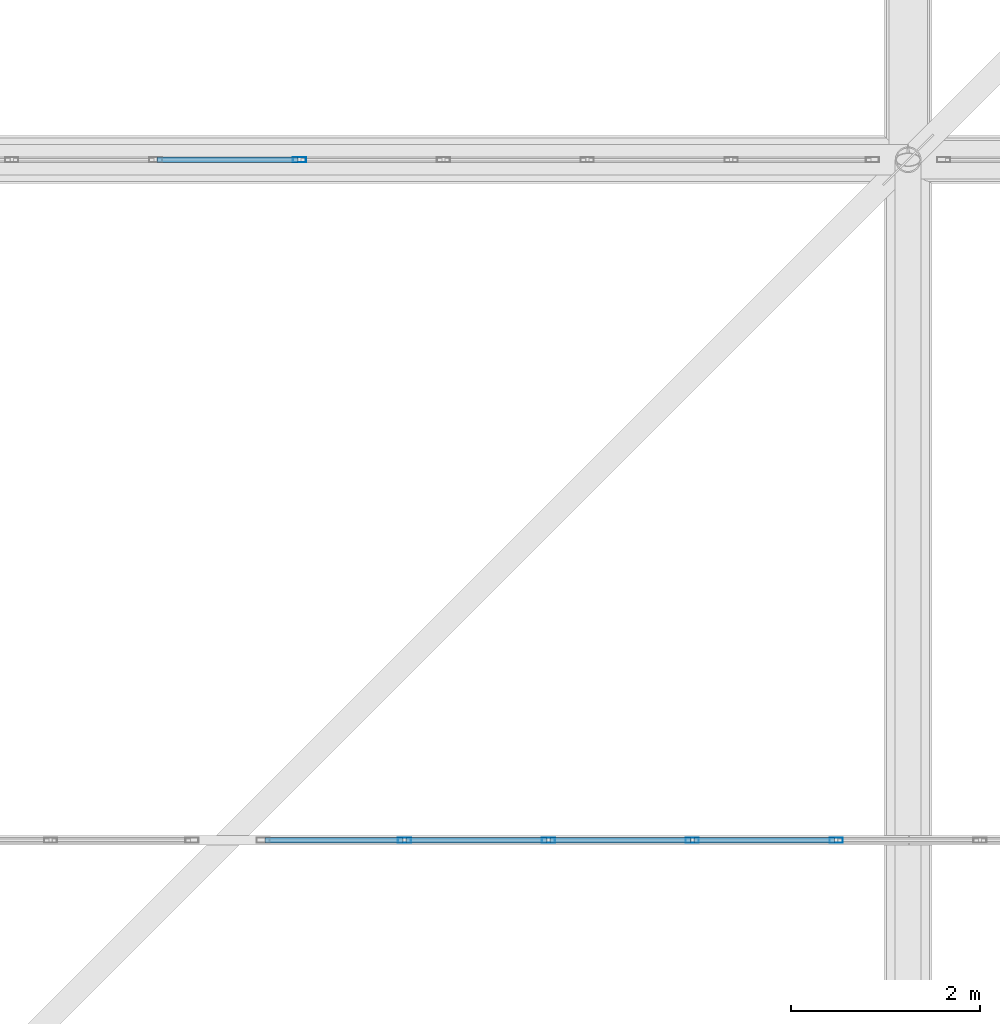
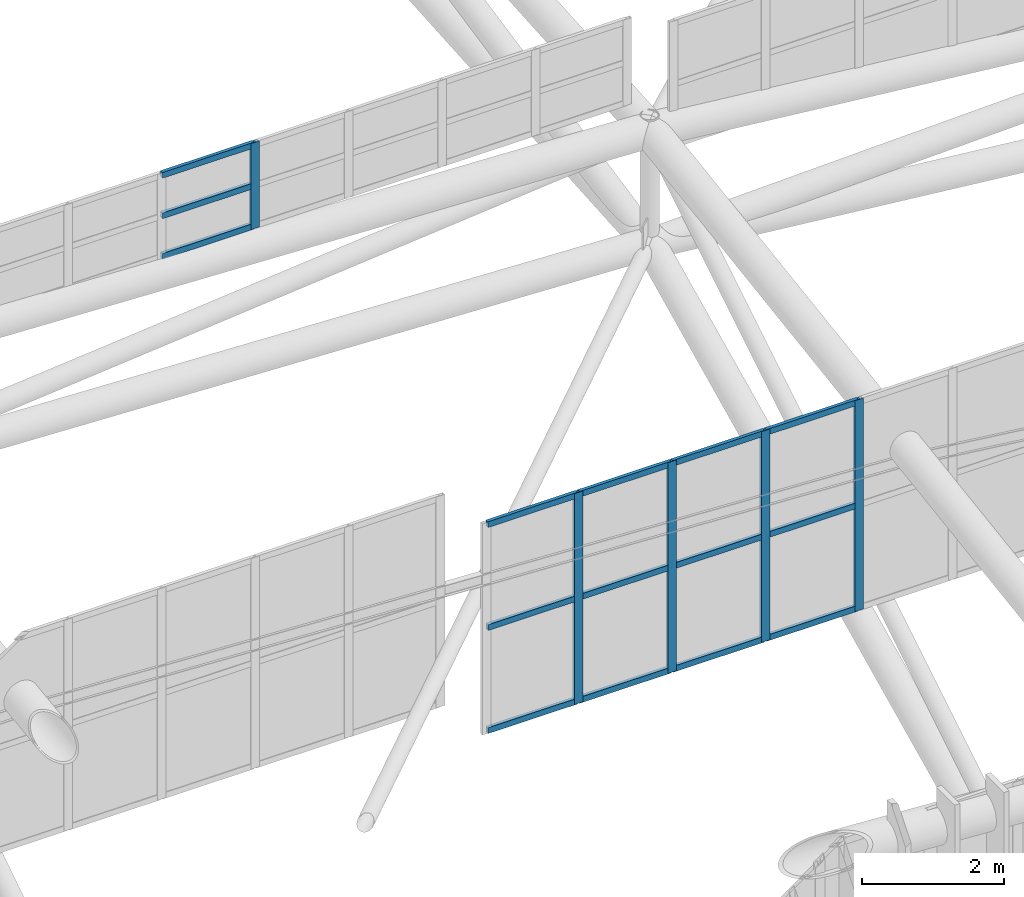
# One storey, part 100 of 397: 20 members, 2 elements without a shape of their own.
"""IFC4 building model written with IfcOpenShell, lengths in metres."""

from ifc_helpers import new_model, si_unit, direction, frame, origin, origin_2d, place, context, subcontext, project, spatial, hollow_rectangle, extrude, material, material_profile, profile_set, type_object, element, aggregate, save


model = new_model("IFC4")

# Units and contexts
model_context = context("Model", 3, precision=1e-05, world=origin(), true_north=direction((0.0, 1.0)))
body_context = subcontext(model_context, "Body", "Model", "MODEL_VIEW")
ifc_project = project(units=[si_unit("LENGTHUNIT", "METRE"), si_unit("AREAUNIT", "SQUARE_METRE"), si_unit("VOLUMEUNIT", "CUBIC_METRE"), si_unit("PLANEANGLEUNIT", "RADIAN"), si_unit("MASSUNIT", "GRAM", prefix="KILO")], contexts=[model_context])

# Site, building, storey
site_placement = place(None, origin())
site = spatial("IfcSite", under=ifc_project, at=site_placement, CompositionType="ELEMENT")
building_placement = place(site_placement, origin())
building = spatial("IfcBuilding", under=site, at=building_placement, Name="Qandorah Velis Arena", CompositionType="ELEMENT")
storey_placement = place(building_placement, frame((0.0, 0.0, 27.5)))
storey = spatial("IfcBuildingStorey", under=building, at=storey_placement, Name="RF", CompositionType="ELEMENT", Elevation=27.5)

# Curtain wall, members
ifc_material_1 = material(Name="Solar-control low-E double glazing", Category="glass")
curtain_wall_type_1 = type_object("IfcCurtainWallType", Name="ARC-CW-SYS23", PredefinedType="USERDEFINED", material=ifc_material_1)
curtain_wall_1_placement = place(storey_placement, origin())
curtain_wall_1 = element("IfcCurtainWall", 1, at=curtain_wall_1_placement, inside=storey, type_object=curtain_wall_type_1, Name="Unitised curtain wall MON-3-5", ObjectType="UNITISED CURTAIN WALL", PredefinedType="USERDEFINED")
ifc_material_2 = material(Name="Champagne-bronze anodized aluminium 6063-T6", Category="aluminium")
ifc_material_profile_1 = material_profile(ifc_material_2, hollow_rectangle(XDim=0.054931640625, YDim=0.139892578125, WallThickness=0.0029296875, at=origin_2d()), Name="ALU MULLION 55x140")
ifc_profile_set_1 = profile_set([ifc_material_profile_1], Name="Champagne-bronze anodized aluminium 6063-T6")
member_type_1 = type_object("IfcMemberType", Name="ARC-CWM-140", PredefinedType="MULLION", material=ifc_profile_set_1)
member_1_placement = place(storey_placement, frame((81.072265625, 21.60009765625, 5.337646484375), z_axis=(0.0, 0.0, 1.0), x_axis=(0.0, 1.0, 0.0)))
member_1 = element("IfcMember", 2, at=member_1_placement, type_object=member_type_1, Name="CW23 mullion 2", PredefinedType="MULLION", context=body_context, shape_type="SweptSolid", body=[
    extrude(hollow_rectangle(XDim=0.054931640625, YDim=0.139892578125, WallThickness=0.0029296875, at=origin_2d()), origin(), (0.0, 0.0, 1.0), 3.630126953125),
])
member_2_placement = place(storey_placement, frame((82.594482421875, 21.60009765625, 5.337646484375), z_axis=(0.0, 0.0, 1.0), x_axis=(0.0, 1.0, 0.0)))
member_2 = element("IfcMember", 3, at=member_2_placement, type_object=member_type_1, Name="CW23 mullion 3", PredefinedType="MULLION", context=body_context, shape_type="SweptSolid", body=[
    extrude(hollow_rectangle(XDim=0.054931640625, YDim=0.139892578125, WallThickness=0.0029296875, at=origin_2d()), origin(), (0.0, 0.0, 1.0), 3.630126953125),
])
member_3_placement = place(storey_placement, frame((84.11669921875, 21.60009765625, 5.337646484375), z_axis=(0.0, 0.0, 1.0), x_axis=(0.0, 1.0, 0.0)))
member_3 = element("IfcMember", 4, at=member_3_placement, type_object=member_type_1, Name="CW23 mullion 4", PredefinedType="MULLION", context=body_context, shape_type="SweptSolid", body=[
    extrude(hollow_rectangle(XDim=0.054931640625, YDim=0.139892578125, WallThickness=0.0029296875, at=origin_2d()), origin(), (0.0, 0.0, 1.0), 3.630126953125),
])
member_4_placement = place(storey_placement, frame((85.638916015625, 21.60009765625, 5.337646484375), z_axis=(0.0, 0.0, 1.0), x_axis=(0.0, 1.0, 0.0)))
member_4 = element("IfcMember", 5, at=member_4_placement, type_object=member_type_1, Name="CW23 mullion 5", PredefinedType="MULLION", context=body_context, shape_type="SweptSolid", body=[
    extrude(hollow_rectangle(XDim=0.054931640625, YDim=0.139892578125, WallThickness=0.0029296875, at=origin_2d()), origin(), (0.0, 0.0, 1.0), 3.630126953125),
])

# Curtain wall, member
curtain_wall_type_2 = type_object("IfcCurtainWallType", Name="ARC-CW-SYS19", PredefinedType="USERDEFINED", material=ifc_material_1)
curtain_wall_2_placement = place(storey_placement, origin())
curtain_wall_2 = element("IfcCurtainWall", 6, at=curtain_wall_2_placement, inside=storey, type_object=curtain_wall_type_2, Name="Unitised curtain wall OCULUS-3-4", ObjectType="UNITISED CURTAIN WALL", PredefinedType="USERDEFINED")
member_5_placement = place(storey_placement, frame((79.961181640625, 28.800048828125, 9.5341796875), z_axis=(0.0, 0.0, 1.0), x_axis=(0.0, 1.0, 0.0)))
member_5 = element("IfcMember", 7, at=member_5_placement, type_object=member_type_1, Name="CW19 mullion 6", PredefinedType="MULLION", context=body_context, shape_type="SweptSolid", body=[
    extrude(hollow_rectangle(XDim=0.054931640625, YDim=0.139892578125, WallThickness=0.0029296875, at=origin_2d()), origin(), (0.0, 0.0, 1.0), 1.480712890625),
])

# Member
ifc_material_profile_2 = material_profile(ifc_material_2, hollow_rectangle(XDim=0.054931640625, YDim=0.10009765625, WallThickness=0.0029296875, at=origin_2d()), Name="ALU TRANSOM 55x100")
ifc_profile_set_2 = profile_set([ifc_material_profile_2], Name="Champagne-bronze anodized aluminium 6063-T6")
member_type_2 = type_object("IfcMemberType", Name="ARC-CWT-100", PredefinedType="USERDEFINED", material=ifc_profile_set_2)
member_6_placement = place(storey_placement, frame((79.593017578125, 21.60009765625, 5.380126953125), z_axis=(1.0, 0.0, 0.0), x_axis=(0.0, 1.0, 0.0)))
member_6 = element("IfcMember", 8, at=member_6_placement, type_object=member_type_2, Name="CW23 transom 1.1", ObjectType="TRANSOM", PredefinedType="USERDEFINED", context=body_context, shape_type="SweptSolid", body=[
    extrude(hollow_rectangle(XDim=0.054931640625, YDim=0.10009765625, WallThickness=0.0029296875, at=origin_2d()), origin(), (0.0, 0.0, 1.0), 1.463623046875),
])

member_7_placement = place(storey_placement, frame((79.593017578125, 21.60009765625, 7.152587890625), z_axis=(1.0, 0.0, 0.0), x_axis=(0.0, 1.0, 0.0)))
member_7 = element("IfcMember", 9, at=member_7_placement, type_object=member_type_2, Name="CW23 transom 1.2", ObjectType="TRANSOM", PredefinedType="USERDEFINED", context=body_context, shape_type="SweptSolid", body=[
    extrude(hollow_rectangle(XDim=0.054931640625, YDim=0.10009765625, WallThickness=0.0029296875, at=origin_2d()), origin(), (0.0, 0.0, 1.0), 1.463623046875),
])

member_8_placement = place(storey_placement, frame((79.593017578125, 21.60009765625, 8.92529296875), z_axis=(1.0, 0.0, 0.0), x_axis=(0.0, 1.0, 0.0)))
member_8 = element("IfcMember", 10, at=member_8_placement, type_object=member_type_2, Name="CW23 transom 1.3", ObjectType="TRANSOM", PredefinedType="USERDEFINED", context=body_context, shape_type="SweptSolid", body=[
    extrude(hollow_rectangle(XDim=0.054931640625, YDim=0.10009765625, WallThickness=0.0029296875, at=origin_2d()), origin(), (0.0, 0.0, 1.0), 1.463623046875),
])

member_9_placement = place(storey_placement, frame((81.087646484375, 21.60009765625, 5.380126953125), z_axis=(1.0, 0.0, 0.0), x_axis=(0.0, 1.0, 0.0)))
member_9 = element("IfcMember", 11, at=member_9_placement, type_object=member_type_2, Name="CW23 transom 2.1", ObjectType="TRANSOM", PredefinedType="USERDEFINED", context=body_context, shape_type="SweptSolid", body=[
    extrude(hollow_rectangle(XDim=0.054931640625, YDim=0.10009765625, WallThickness=0.0029296875, at=origin_2d()), origin(), (0.0, 0.0, 1.0), 1.4912109375),
])

member_10_placement = place(storey_placement, frame((81.087646484375, 21.60009765625, 7.152587890625), z_axis=(1.0, 0.0, 0.0), x_axis=(0.0, 1.0, 0.0)))
member_10 = element("IfcMember", 12, at=member_10_placement, type_object=member_type_2, Name="CW23 transom 2.2", ObjectType="TRANSOM", PredefinedType="USERDEFINED", context=body_context, shape_type="SweptSolid", body=[
    extrude(hollow_rectangle(XDim=0.054931640625, YDim=0.10009765625, WallThickness=0.0029296875, at=origin_2d()), origin(), (0.0, 0.0, 1.0), 1.4912109375),
])

member_11_placement = place(storey_placement, frame((81.087646484375, 21.60009765625, 8.92529296875), z_axis=(1.0, 0.0, 0.0), x_axis=(0.0, 1.0, 0.0)))
member_11 = element("IfcMember", 13, at=member_11_placement, type_object=member_type_2, Name="CW23 transom 2.3", ObjectType="TRANSOM", PredefinedType="USERDEFINED", context=body_context, shape_type="SweptSolid", body=[
    extrude(hollow_rectangle(XDim=0.054931640625, YDim=0.10009765625, WallThickness=0.0029296875, at=origin_2d()), origin(), (0.0, 0.0, 1.0), 1.4912109375),
])

member_12_placement = place(storey_placement, frame((82.60986328125, 21.60009765625, 5.380126953125), z_axis=(1.0, 0.0, 0.0), x_axis=(0.0, 1.0, 0.0)))
member_12 = element("IfcMember", 14, at=member_12_placement, type_object=member_type_2, Name="CW23 transom 3.1", ObjectType="TRANSOM", PredefinedType="USERDEFINED", context=body_context, shape_type="SweptSolid", body=[
    extrude(hollow_rectangle(XDim=0.054931640625, YDim=0.10009765625, WallThickness=0.0029296875, at=origin_2d()), origin(), (0.0, 0.0, 1.0), 1.491455078125),
])

member_13_placement = place(storey_placement, frame((82.60986328125, 21.60009765625, 7.152587890625), z_axis=(1.0, 0.0, 0.0), x_axis=(0.0, 1.0, 0.0)))
member_13 = element("IfcMember", 15, at=member_13_placement, type_object=member_type_2, Name="CW23 transom 3.2", ObjectType="TRANSOM", PredefinedType="USERDEFINED", context=body_context, shape_type="SweptSolid", body=[
    extrude(hollow_rectangle(XDim=0.054931640625, YDim=0.10009765625, WallThickness=0.0029296875, at=origin_2d()), origin(), (0.0, 0.0, 1.0), 1.491455078125),
])

member_14_placement = place(storey_placement, frame((82.60986328125, 21.60009765625, 8.92529296875), z_axis=(1.0, 0.0, 0.0), x_axis=(0.0, 1.0, 0.0)))
member_14 = element("IfcMember", 16, at=member_14_placement, type_object=member_type_2, Name="CW23 transom 3.3", ObjectType="TRANSOM", PredefinedType="USERDEFINED", context=body_context, shape_type="SweptSolid", body=[
    extrude(hollow_rectangle(XDim=0.054931640625, YDim=0.10009765625, WallThickness=0.0029296875, at=origin_2d()), origin(), (0.0, 0.0, 1.0), 1.491455078125),
])

member_15_placement = place(storey_placement, frame((84.132080078125, 21.60009765625, 5.380126953125), z_axis=(1.0, 0.0, 0.0), x_axis=(0.0, 1.0, 0.0)))
member_15 = element("IfcMember", 17, at=member_15_placement, type_object=member_type_2, Name="CW23 transom 4.1", ObjectType="TRANSOM", PredefinedType="USERDEFINED", context=body_context, shape_type="SweptSolid", body=[
    extrude(hollow_rectangle(XDim=0.054931640625, YDim=0.10009765625, WallThickness=0.0029296875, at=origin_2d()), origin(), (0.0, 0.0, 1.0), 1.4912109375),
])

member_16_placement = place(storey_placement, frame((84.132080078125, 21.60009765625, 7.152587890625), z_axis=(1.0, 0.0, 0.0), x_axis=(0.0, 1.0, 0.0)))
member_16 = element("IfcMember", 18, at=member_16_placement, type_object=member_type_2, Name="CW23 transom 4.2", ObjectType="TRANSOM", PredefinedType="USERDEFINED", context=body_context, shape_type="SweptSolid", body=[
    extrude(hollow_rectangle(XDim=0.054931640625, YDim=0.10009765625, WallThickness=0.0029296875, at=origin_2d()), origin(), (0.0, 0.0, 1.0), 1.4912109375),
])

member_17_placement = place(storey_placement, frame((84.132080078125, 21.60009765625, 8.92529296875), z_axis=(1.0, 0.0, 0.0), x_axis=(0.0, 1.0, 0.0)))
member_17 = element("IfcMember", 19, at=member_17_placement, type_object=member_type_2, Name="CW23 transom 4.3", ObjectType="TRANSOM", PredefinedType="USERDEFINED", context=body_context, shape_type="SweptSolid", body=[
    extrude(hollow_rectangle(XDim=0.054931640625, YDim=0.10009765625, WallThickness=0.0029296875, at=origin_2d()), origin(), (0.0, 0.0, 1.0), 1.4912109375),
])

aggregate(curtain_wall_1, [member_1, member_2, member_3, member_4, member_6, member_7, member_8, member_9, member_10, member_11, member_12, member_13, member_14, member_15, member_16, member_17])

member_18_placement = place(storey_placement, frame((78.454345703125, 28.800048828125, 9.57666015625), z_axis=(1.0, 0.0, 0.0), x_axis=(0.0, 1.0, 0.0)))
member_18 = element("IfcMember", 20, at=member_18_placement, type_object=member_type_2, Name="CW19 transom 5.1", ObjectType="TRANSOM", PredefinedType="USERDEFINED", context=body_context, shape_type="SweptSolid", body=[
    extrude(hollow_rectangle(XDim=0.054931640625, YDim=0.10009765625, WallThickness=0.0029296875, at=origin_2d()), origin(), (0.0, 0.0, 1.0), 1.4912109375),
])

member_19_placement = place(storey_placement, frame((78.454345703125, 28.800048828125, 10.274658203125), z_axis=(1.0, 0.0, 0.0), x_axis=(0.0, 1.0, 0.0)))
member_19 = element("IfcMember", 21, at=member_19_placement, type_object=member_type_2, Name="CW19 transom 5.2", ObjectType="TRANSOM", PredefinedType="USERDEFINED", context=body_context, shape_type="SweptSolid", body=[
    extrude(hollow_rectangle(XDim=0.054931640625, YDim=0.10009765625, WallThickness=0.0029296875, at=origin_2d()), origin(), (0.0, 0.0, 1.0), 1.4912109375),
])

member_20_placement = place(storey_placement, frame((78.454345703125, 28.800048828125, 10.972412109375), z_axis=(1.0, 0.0, 0.0), x_axis=(0.0, 1.0, 0.0)))
member_20 = element("IfcMember", 22, at=member_20_placement, type_object=member_type_2, Name="CW19 transom 5.3", ObjectType="TRANSOM", PredefinedType="USERDEFINED", context=body_context, shape_type="SweptSolid", body=[
    extrude(hollow_rectangle(XDim=0.054931640625, YDim=0.10009765625, WallThickness=0.0029296875, at=origin_2d()), origin(), (0.0, 0.0, 1.0), 1.4912109375),
])

aggregate(curtain_wall_2, [member_5, member_18, member_19, member_20])

save(model, "model.ifc")
